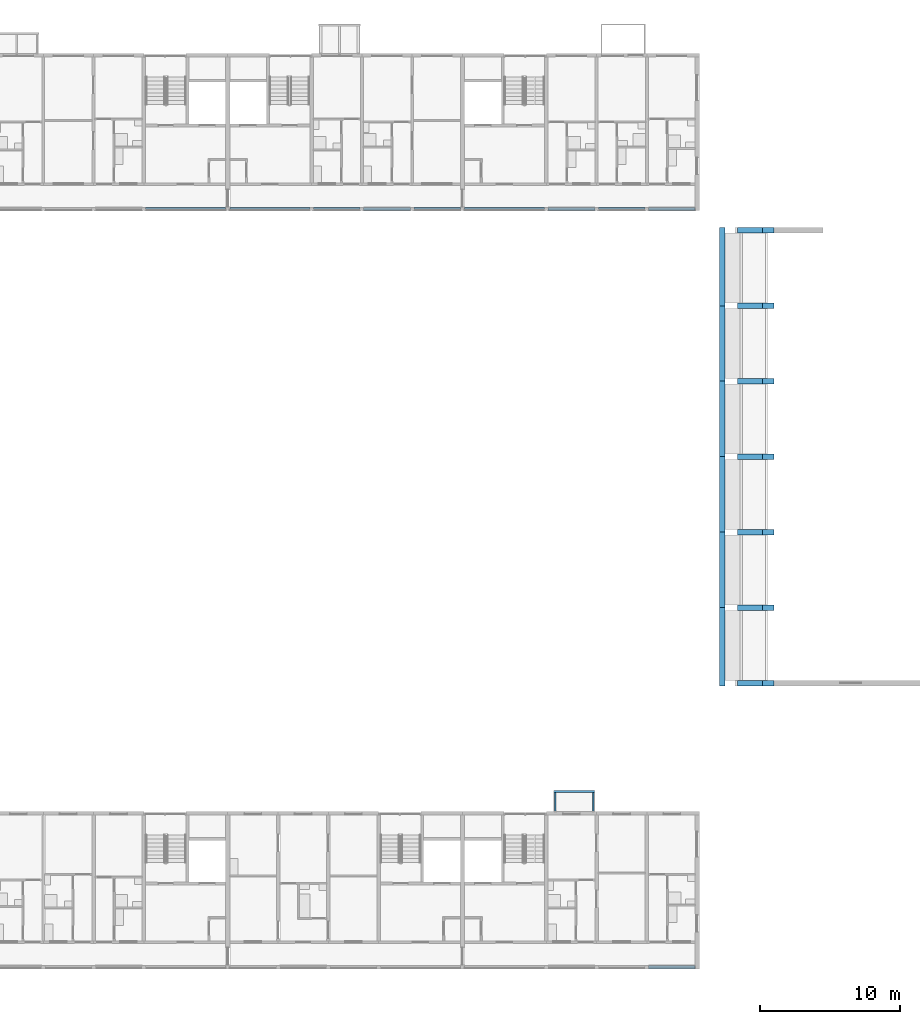
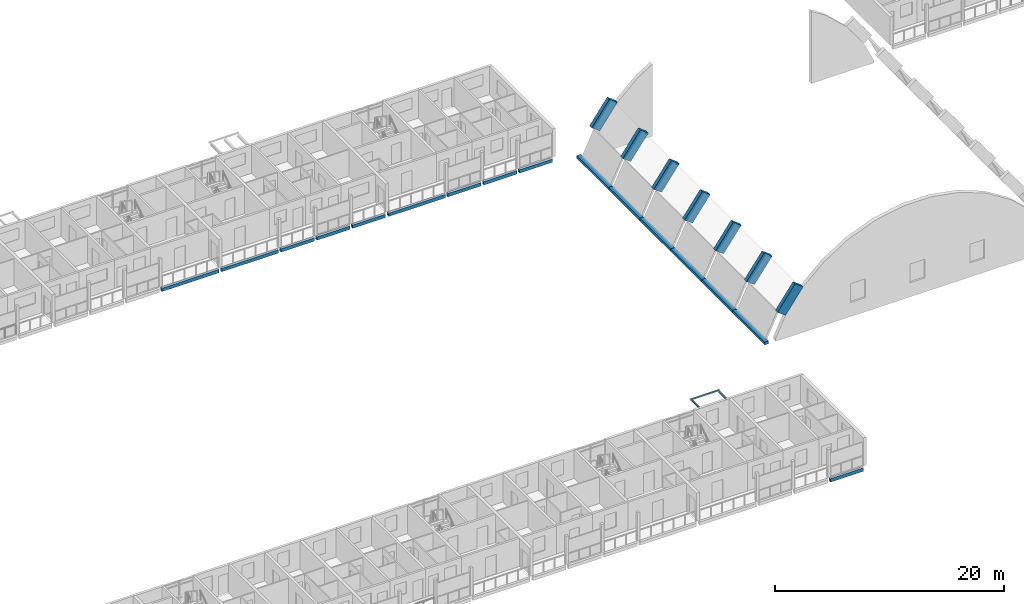
# One storey, part 10 of 100: 26 beams.
"""IFC4 building model written with IfcOpenShell, lengths in metres."""

from ifc_helpers import new_model, si_unit, direction, frame, origin, origin_2d, place, context, subcontext, project, spatial, rectangle, hollow_rectangle, i_section, extrude, material, material_profile, profile_set, type_object, element, save


model = new_model("IFC4")

# Units and contexts
model_context = context("Model", 3, precision=1e-05, world=origin(), true_north=direction((0.0, 1.0)))
body_context = subcontext(model_context, "Body", "Model", "MODEL_VIEW")
ifc_project = project(units=[si_unit("LENGTHUNIT", "METRE"), si_unit("AREAUNIT", "SQUARE_METRE"), si_unit("VOLUMEUNIT", "CUBIC_METRE"), si_unit("PLANEANGLEUNIT", "RADIAN"), si_unit("MASSUNIT", "GRAM", prefix="KILO")], contexts=[model_context])

# Site, building, storey
site_placement = place(None, origin())
site = spatial("IfcSite", under=ifc_project, at=site_placement, CompositionType="ELEMENT")
building_placement = place(site_placement, origin())
building = spatial("IfcBuilding", under=site, at=building_placement, Name="Ridgestep Commons", CompositionType="ELEMENT")
storey_placement = place(building_placement, frame((0.0, 0.0, 9.0)))
storey = spatial("IfcBuildingStorey", under=building, at=storey_placement, Name="L03", CompositionType="ELEMENT", Elevation=9.0)

# Beams
ifc_material_1 = material(Name="Precast concrete C40/50", Category="concrete")
ifc_material_profile_1 = material_profile(ifc_material_1, rectangle(XDim=0.39990234375, YDim=0.300048828125, at=origin_2d()), Name="Hall ring beam 400 x 300")
ifc_profile_set_1 = profile_set([ifc_material_profile_1], Name="Precast concrete C40/50")
beam_type_1 = type_object("IfcBeamType", Name="Hall ring beam 400 x 300", PredefinedType="BEAM", material=ifc_profile_set_1)
beam_1_placement = place(storey_placement, frame((114.60009765625, 32.0, 0.14990234375), z_axis=(0.0, 1.0, 0.0), x_axis=(-1.0, 0.0, 0.0)))
element("IfcBeam", 1, at=beam_1_placement, inside=storey, type_object=beam_type_1, Name="Hall ring beam", PredefinedType="BEAM", context=body_context, shape_type="SweptSolid", body=[
    extrude(rectangle(XDim=0.39990234375, YDim=0.300048828125, at=origin_2d()), origin(), (0.0, 0.0, 1.0), 5.60009765625),
])
for number, where, z_axis, x_axis, name in (
    (2, (114.60009765625, 37.60009765625, 0.14990234375), (0.0, 1.0, 0.0), (-1.0, 0.0, 0.0), "Hall ring beam"),
    (3, (114.60009765625, 43.0, 0.14990234375), (0.0, 1.0, 0.0), (-1.0, 0.0, 0.0), "Hall ring beam"),
):
    element("IfcBeam", number, at=place(storey_placement, frame(where, z_axis=z_axis, x_axis=x_axis)), inside=storey, type_object=beam_type_1, Name=name, PredefinedType="BEAM", context=body_context, shape_type="SweptSolid", body=[
        extrude(rectangle(XDim=0.39990234375, YDim=0.300048828125, at=origin_2d()), origin(), (0.0, 0.0, 1.0), 5.39990234375),
    ])
beam_2_placement = place(storey_placement, frame((114.60009765625, 48.39990234375, 0.14990234375), z_axis=(0.0, 1.0, 0.0), x_axis=(-1.0, 0.0, 0.0)))
element("IfcBeam", 4, at=beam_2_placement, inside=storey, type_object=beam_type_1, Name="Hall ring beam", PredefinedType="BEAM", context=body_context, shape_type="SweptSolid", body=[
    extrude(rectangle(XDim=0.39990234375, YDim=0.300048828125, at=origin_2d()), origin(), (0.0, 0.0, 1.0), 5.400146484375),
])
beam_3_placement = place(storey_placement, frame((114.60009765625, 53.800048828125, 0.14990234375), z_axis=(0.0, 1.0, 0.0), x_axis=(-1.0, 0.0, 0.0)))
element("IfcBeam", 5, at=beam_3_placement, inside=storey, type_object=beam_type_1, Name="Hall ring beam", PredefinedType="BEAM", context=body_context, shape_type="SweptSolid", body=[
    extrude(rectangle(XDim=0.39990234375, YDim=0.300048828125, at=origin_2d()), origin(), (0.0, 0.0, 1.0), 5.39990234375),
])
beam_4_placement = place(storey_placement, frame((114.60009765625, 59.199951171875, 0.14990234375), z_axis=(0.0, 1.0, 0.0), x_axis=(-1.0, 0.0, 0.0)))
element("IfcBeam", 6, at=beam_4_placement, inside=storey, type_object=beam_type_1, Name="Hall ring beam", PredefinedType="BEAM", context=body_context, shape_type="SweptSolid", body=[
    extrude(rectangle(XDim=0.39990234375, YDim=0.300048828125, at=origin_2d()), origin(), (0.0, 0.0, 1.0), 5.60009765625),
])
ifc_material_2 = material(Name="Precast concrete C50/60", Category="concrete")
ifc_material_profile_2 = material_profile(ifc_material_2, rectangle(XDim=0.39990234375, YDim=1.0, at=origin_2d()), Name="Hall vault rib 400 x 1000")
ifc_profile_set_2 = profile_set([ifc_material_profile_2], Name="Precast concrete C50/60")
beam_type_2 = type_object("IfcBeamType", Name="Hall vault rib 400 x 1000", PredefinedType="BEAM", material=ifc_profile_set_2)
for number, where, z_axis, x_axis, name in (
    (7, (116.09326171875, 32.199951171875, 2.72021484375), (0.591391779372, 0.0, 0.80638437689), (0.0, 1.0, 0.0), "Hall vault rib R1"),
    (8, (116.09326171875, 37.60009765625, 2.72021484375), (0.591391779372, 0.0, 0.80638437689), (0.0, 1.0, 0.0), "Hall vault rib R2"),
    (9, (116.09326171875, 43.0, 2.72021484375), (0.591391779372, 0.0, 0.80638437689), (0.0, 1.0, 0.0), "Hall vault rib R3"),
    (10, (116.09326171875, 48.39990234375, 2.72021484375), (0.591391779372, 0.0, 0.80638437689), (0.0, 1.0, 0.0), "Hall vault rib R4"),
    (11, (116.09326171875, 53.800048828125, 2.72021484375), (0.591391779372, 0.0, 0.80638437689), (0.0, 1.0, 0.0), "Hall vault rib R5"),
    (12, (116.09326171875, 59.199951171875, 2.72021484375), (0.591391779372, 0.0, 0.80638437689), (0.0, 1.0, 0.0), "Hall vault rib R6"),
    (13, (116.09326171875, 64.60009765625, 2.72021484375), (0.591391779372, 0.0, 0.80638437689), (0.0, 1.0, 0.0), "Hall vault rib R7"),
):
    element("IfcBeam", number, at=place(storey_placement, frame(where, z_axis=z_axis, x_axis=x_axis)), inside=storey, type_object=beam_type_2, Name=name, PredefinedType="BEAM", context=body_context, shape_type="SweptSolid", body=[
        extrude(rectangle(XDim=0.39990234375, YDim=1.0, at=origin_2d()), origin(), (0.0, 0.0, 1.0), 3.011474609375),
    ])
ifc_material_3 = material(Name="Precast concrete C40/50", Category="concrete")
ifc_material_profile_3 = material_profile(ifc_material_3, rectangle(XDim=0.25, YDim=0.35009765625, at=origin_2d()), Name="PC 250x350")
ifc_profile_set_3 = profile_set([ifc_material_profile_3], Name="Precast concrete C40/50")
beam_type_3 = type_object("IfcBeamType", Name="Loggia edge beam 250 x 350", PredefinedType="SPANDREL", material=ifc_profile_set_3)
beam_5_placement = place(storey_placement, frame((109.324951171875, 11.875, -0.375), z_axis=(1.0, 0.0, 0.0), x_axis=(0.0, 1.0, 0.0)))
element("IfcBeam", 14, at=beam_5_placement, inside=storey, type_object=beam_type_3, Name="Loggia edge beam A6T1 L03", PredefinedType="SPANDREL", context=body_context, shape_type="SweptSolid", body=[
    extrude(rectangle(XDim=0.25, YDim=0.35009765625, at=origin_2d()), origin(), (0.0, 0.0, 1.0), 3.324951171875),
])
beam_6_placement = place(storey_placement, frame((73.324951171875, 66.125, -0.375), z_axis=(1.0, 0.0, 0.0), x_axis=(0.0, 1.0, 0.0)))
element("IfcBeam", 15, at=beam_6_placement, inside=storey, type_object=beam_type_3, Name="Loggia edge beam B4C L03", PredefinedType="SPANDREL", context=body_context, shape_type="SweptSolid", body=[
    extrude(rectangle(XDim=0.25, YDim=0.35009765625, at=origin_2d()), origin(), (0.0, 0.0, 1.0), 5.72509765625),
])
beam_7_placement = place(storey_placement, frame((79.35009765625, 66.125, -0.375), z_axis=(1.0, 0.0, 0.0), x_axis=(0.0, 1.0, 0.0)))
element("IfcBeam", 16, at=beam_7_placement, inside=storey, type_object=beam_type_3, Name="Loggia edge beam B5C L03", PredefinedType="SPANDREL", context=body_context, shape_type="SweptSolid", body=[
    extrude(rectangle(XDim=0.25, YDim=0.35009765625, at=origin_2d()), origin(), (0.0, 0.0, 1.0), 5.724853515625),
])
beam_8_placement = place(storey_placement, frame((85.324951171875, 66.125, -0.375), z_axis=(1.0, 0.0, 0.0), x_axis=(0.0, 1.0, 0.0)))
element("IfcBeam", 17, at=beam_8_placement, inside=storey, type_object=beam_type_3, Name="Loggia edge beam B5T3 L03", PredefinedType="SPANDREL", context=body_context, shape_type="SweptSolid", body=[
    extrude(rectangle(XDim=0.25, YDim=0.35009765625, at=origin_2d()), origin(), (0.0, 0.0, 1.0), 3.35009765625),
])
beam_9_placement = place(storey_placement, frame((88.925048828125, 66.125, -0.375), z_axis=(1.0, 0.0, 0.0), x_axis=(0.0, 1.0, 0.0)))
element("IfcBeam", 18, at=beam_9_placement, inside=storey, type_object=beam_type_3, Name="Loggia edge beam B5T2 L03", PredefinedType="SPANDREL", context=body_context, shape_type="SweptSolid", body=[
    extrude(rectangle(XDim=0.25, YDim=0.35009765625, at=origin_2d()), origin(), (0.0, 0.0, 1.0), 3.349853515625),
])
beam_10_placement = place(storey_placement, frame((92.52490234375, 66.125, -0.375), z_axis=(1.0, 0.0, 0.0), x_axis=(0.0, 1.0, 0.0)))
element("IfcBeam", 19, at=beam_10_placement, inside=storey, type_object=beam_type_3, Name="Loggia edge beam B5T1 L03", PredefinedType="SPANDREL", context=body_context, shape_type="SweptSolid", body=[
    extrude(rectangle(XDim=0.25, YDim=0.35009765625, at=origin_2d()), origin(), (0.0, 0.0, 1.0), 3.3251953125),
])
beam_11_placement = place(storey_placement, frame((96.14990234375, 66.125, -0.375), z_axis=(1.0, 0.0, 0.0), x_axis=(0.0, 1.0, 0.0)))
element("IfcBeam", 20, at=beam_11_placement, inside=storey, type_object=beam_type_3, Name="Loggia edge beam B6C L03", PredefinedType="SPANDREL", context=body_context, shape_type="SweptSolid", body=[
    extrude(rectangle(XDim=0.25, YDim=0.35009765625, at=origin_2d()), origin(), (0.0, 0.0, 1.0), 5.72509765625),
])
beam_12_placement = place(storey_placement, frame((102.125, 66.125, -0.375), z_axis=(1.0, 0.0, 0.0), x_axis=(0.0, 1.0, 0.0)))
element("IfcBeam", 21, at=beam_12_placement, inside=storey, type_object=beam_type_3, Name="Loggia edge beam B6T3 L03", PredefinedType="SPANDREL", context=body_context, shape_type="SweptSolid", body=[
    extrude(rectangle(XDim=0.25, YDim=0.35009765625, at=origin_2d()), origin(), (0.0, 0.0, 1.0), 3.35009765625),
])
beam_13_placement = place(storey_placement, frame((105.72509765625, 66.125, -0.375), z_axis=(1.0, 0.0, 0.0), x_axis=(0.0, 1.0, 0.0)))
element("IfcBeam", 22, at=beam_13_placement, inside=storey, type_object=beam_type_3, Name="Loggia edge beam B6T2 L03", PredefinedType="SPANDREL", context=body_context, shape_type="SweptSolid", body=[
    extrude(rectangle(XDim=0.25, YDim=0.35009765625, at=origin_2d()), origin(), (0.0, 0.0, 1.0), 3.349853515625),
])
beam_14_placement = place(storey_placement, frame((109.324951171875, 66.125, -0.375), z_axis=(1.0, 0.0, 0.0), x_axis=(0.0, 1.0, 0.0)))
element("IfcBeam", 23, at=beam_14_placement, inside=storey, type_object=beam_type_3, Name="Loggia edge beam B6T1 L03", PredefinedType="SPANDREL", context=body_context, shape_type="SweptSolid", body=[
    extrude(rectangle(XDim=0.25, YDim=0.35009765625, at=origin_2d()), origin(), (0.0, 0.0, 1.0), 3.324951171875),
])
ifc_material_4 = material(Name="Weathering steel S355J2W", Category="steel")
ifc_material_profile_4 = material_profile(ifc_material_4, i_section(OverallWidth=0.101806640625, OverallDepth=0.203125, WebThickness=0.00537109375, FlangeThickness=0.00927734375, FilletRadius=0.007568359375, at=origin_2d()), Name="UB 203x102x23")
ifc_profile_set_4 = profile_set([ifc_material_profile_4], Name="Weathering steel S355J2W")
beam_type_4 = type_object("IfcBeamType", Name="Tray arm UB 203x102x23", PredefinedType="BEAM", material=ifc_profile_set_4)
for number, where, z_axis, x_axis, name in (
    (24, (102.64990234375, 23.014892578125, 2.888427734375), (0.0, 1.0, 0.0), (-1.0, 0.0, 0.0), "Tray arm A6T3-04.1"),
    (25, (105.35009765625, 23.014892578125, 2.888427734375), (0.0, 1.0, 0.0), (-1.0, 0.0, 0.0), "Tray arm A6T3-04.2"),
):
    element("IfcBeam", number, at=place(storey_placement, frame(where, z_axis=z_axis, x_axis=x_axis)), inside=storey, type_object=beam_type_4, Name=name, PredefinedType="BEAM", context=body_context, shape_type="SweptSolid", body=[
        extrude(i_section(OverallWidth=0.101806640625, OverallDepth=0.203125, WebThickness=0.00537109375, FlangeThickness=0.00927734375, FilletRadius=0.007568359375, at=origin_2d()), origin(), (0.0, 0.0, 1.0), 1.364990234375),
    ])
ifc_material_5 = material(Name="Weathering steel S355J2W", Category="steel")
ifc_material_profile_5 = material_profile(ifc_material_5, hollow_rectangle(XDim=0.1201171875, YDim=0.1201171875, WallThickness=0.00634765625, InnerFilletRadius=0.00634765625, OuterFilletRadius=0.009521484375, at=origin_2d()), Name="SHS 120x120x6.3")
ifc_profile_set_5 = profile_set([ifc_material_profile_5], Name="Weathering steel S355J2W")
beam_type_5 = type_object("IfcBeamType", Name="Tray edge member SHS 120x120x6.3", PredefinedType="BEAM", material=ifc_profile_set_5)
beam_15_placement = place(storey_placement, frame((102.530029296875, 24.43994140625, 2.929931640625), z_axis=(1.0, 0.0, 0.0), x_axis=(0.0, 0.0, 1.0)))
element("IfcBeam", 26, at=beam_15_placement, inside=storey, type_object=beam_type_5, Name="Tray edge member A6T3-04", PredefinedType="BEAM", context=body_context, shape_type="SweptSolid", body=[
    extrude(hollow_rectangle(XDim=0.1201171875, YDim=0.1201171875, WallThickness=0.00634765625, InnerFilletRadius=0.00634765625, OuterFilletRadius=0.009521484375, at=origin_2d()), origin(), (0.0, 0.0, 1.0), 2.93994140625),
])

save(model, "model.ifc")
